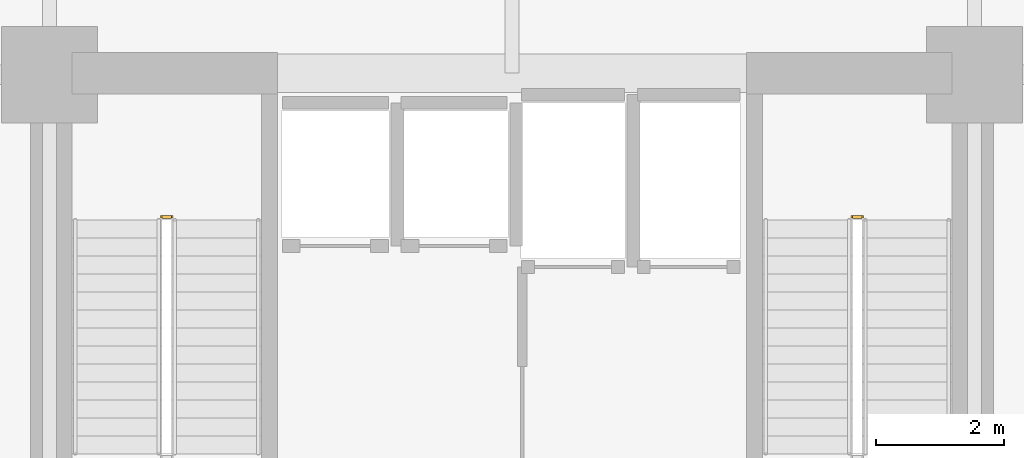
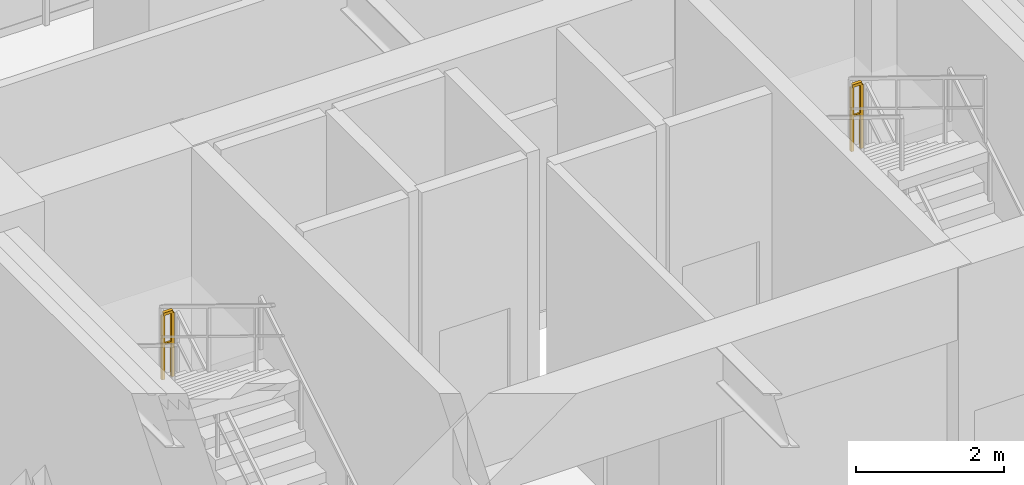
# One storey, part 22 of 22: 2 railings.
"""IFC4 building model written with IfcOpenShell, lengths in metres."""

import ifcopenshell
import ifcopenshell.guid

model = None  # the IFC model being written
_history = None  # IfcOwnerHistory: only IFC2X3 demands one
_inside = {}  # id of a spatial element -> (the spatial element, [elements in it])
_under = {}  # id of a project, library or spatial element -> (it, [spatial elements below it])
_declared = {}  # id of a project -> (the project, [libraries it declares])
_typed = {}  # id of a type object -> (the type object, [elements of that type])
_made_of = {}  # id of a material, layer set ... -> (it, [elements and type objects made of it])


def new_model(schema):
    """Start an empty IFC model of exactly this schema.

    Asked for "IFC4X3", IfcOpenShell would pick the latest addendum, in which some entities
    have other attributes; the version numbers below select the first issue.
    IFC2X3 requires an IfcOwnerHistory on every rooted entity: one is made here for all.
    """
    global model, _history
    if schema == "IFC4X3":
        model = ifcopenshell.file(schema_version=(4, 3, 0, 0))
    else:
        model = ifcopenshell.file(schema=schema)
    _inside.clear()
    _under.clear()
    _declared.clear()
    _typed.clear()
    _made_of.clear()
    _history = None
    if model.schema == "IFC2X3":
        org = make("IfcOrganization", Name="unknown")
        user = make(
            "IfcPersonAndOrganization",
            ThePerson=make("IfcPerson", FamilyName="unknown"),
            TheOrganization=org,
        )
        app = make(
            "IfcApplication",
            ApplicationDeveloper=org,
            Version="unknown",
            ApplicationFullName="unknown",
            ApplicationIdentifier="unknown",
        )
        _history = make(
            "IfcOwnerHistory",
            OwningUser=user,
            OwningApplication=app,
            ChangeAction="ADDED",
            CreationDate=0,
        )
    return model


def make(cls, **values):
    """One entity of the class cls with the attributes given. An attribute that is None is left unset."""
    return model.create_entity(
        cls, **{name: value for name, value in values.items() if value is not None}
    )


def rooted(cls, **values):
    """An entity with a GlobalId (a new one), such as an element, a storey or a relation."""
    return make(cls, GlobalId=ifcopenshell.guid.new(), OwnerHistory=_history, **values)


def si_unit(unit_type, name, prefix=None):
    """IfcSIUnit, for example si_unit("LENGTHUNIT", "METRE", prefix="MILLI")."""
    return make("IfcSIUnit", UnitType=unit_type, Prefix=prefix, Name=name)


def assignment(units):
    """IfcUnitAssignment: the units of a project."""
    return None if units is None else make("IfcUnitAssignment", Units=units)


def point(xyz):
    """IfcCartesianPoint."""
    return None if xyz is None else make("IfcCartesianPoint", Coordinates=xyz)


def direction(xyz):
    """IfcDirection."""
    return None if xyz is None else make("IfcDirection", DirectionRatios=xyz)


def frame(location, z_axis=None, x_axis=None):
    """IfcAxis2Placement3D, a coordinate frame: its origin and axes. An axis left out is left unset."""
    return make(
        "IfcAxis2Placement3D",
        Location=point(location),
        Axis=direction(z_axis),
        RefDirection=direction(x_axis),
    )


def frame_2d(location, x_axis=None):
    """IfcAxis2Placement2D, a coordinate frame in the plane: its origin and x axis."""
    return make(
        "IfcAxis2Placement2D", Location=point(location), RefDirection=direction(x_axis)
    )


def origin():
    """The frame at (0, 0, 0) with its axes left unset."""
    return frame((0.0, 0.0, 0.0))


def origin_2d():
    """The frame at (0, 0) in the plane with its x axis left unset."""
    return frame_2d((0.0, 0.0))


def place(relative_to, where):
    """IfcLocalPlacement: puts the frame where relative to a parent placement (None: the world)."""
    return make(
        "IfcLocalPlacement", PlacementRelTo=relative_to, RelativePlacement=where
    )


def context(
    kind, dimensions, precision=None, world=None, true_north=None, identifier=None
):
    """IfcGeometricRepresentationContext, for example the 3D "Model" context."""
    return make(
        "IfcGeometricRepresentationContext",
        ContextIdentifier=identifier,
        ContextType=kind,
        CoordinateSpaceDimension=dimensions,
        Precision=precision,
        WorldCoordinateSystem=world,
        TrueNorth=true_north,
    )


def subcontext(parent, identifier, kind, view, scale=None):
    """IfcGeometricRepresentationSubContext, for example "Body" below "Model"."""
    return make(
        "IfcGeometricRepresentationSubContext",
        ContextIdentifier=identifier,
        ContextType=kind,
        ParentContext=parent,
        TargetScale=scale,
        TargetView=view,
    )


def project(units=None, contexts=None):
    """IfcProject with its units and contexts."""
    return rooted(
        "IfcProject",
        Name="project",
        RepresentationContexts=contexts,
        UnitsInContext=assignment(units),
    )


def spatial(cls, under=None, at=None, **own):
    """A site, building, storey or space (cls), placed at a placement, below another one or the project."""
    s = rooted(cls, ObjectPlacement=at, **own)
    if under is not None:
        _under.setdefault(under.id(), (under, []))[1].append(s)
    return s


def profile(cls, at=None, kind="AREA", **sizes):
    """A parametric profile (cls). Its sizes go by their IFC names, for example OverallWidth=200.0."""
    return make(cls, ProfileType=kind, Position=at, **sizes)


def rectangle(**sizes):
    """IfcRectangleProfileDef."""
    return profile("IfcRectangleProfileDef", **sizes)


def extrude(swept, where, along, depth):
    """IfcExtrudedAreaSolid: the profile swept, set in the frame where, extruded along a direction by depth."""
    return make(
        "IfcExtrudedAreaSolid",
        SweptArea=swept,
        Position=where,
        ExtrudedDirection=direction(along),
        Depth=depth,
    )


def shape(context_of_items, identifier, shape_type, items):
    """IfcShapeRepresentation: the items that make up one representation, for example the "Body"."""
    return make(
        "IfcShapeRepresentation",
        ContextOfItems=context_of_items,
        RepresentationIdentifier=identifier,
        RepresentationType=shape_type,
        Items=items,
    )


def material(Name=None, Category=None):
    """IfcMaterial."""
    return make("IfcMaterial", Name=Name, Category=Category)


def made_of(thing, what):
    """Note that an element or type object is made of a material, layer set ...; save() writes the relation."""
    if what is not None:
        _made_of.setdefault(what.id(), (what, []))[1].append(thing)
    return thing


def type_object(cls, material=None, **own):
    """A type object (cls), such as IfcWallType, which elements share."""
    return made_of(rooted(cls, **own), material)


def element(
    cls,
    number,
    at=None,
    inside=None,
    cuts=None,
    type_object=None,
    material=None,
    context=None,
    identifier="Body",
    shape_type=None,
    held_by="IfcProductDefinitionShape",
    body=None,
    shapes=None,
    **own,
):
    """One element of the class cls, such as IfcWall. Its Tag is "e" and its number.

    at: its placement. inside: the storey or other place that contains it. cuts: it is an
    opening in that element (IfcRelVoidsElement). A single representation is given by context,
    identifier, shape_type and body (its items); several are given by shapes. held_by: the class
    of the entity that holds the representations. save() writes the other relations.
    """
    e = rooted(cls, Tag="e%d" % number, ObjectPlacement=at, **own)
    if body is not None:
        shapes = [shape(context, identifier, shape_type, body)]
    if shapes is not None:
        e.Representation = make(held_by, Representations=shapes)
    if inside is not None:
        _inside.setdefault(inside.id(), (inside, []))[1].append(e)
    if cuts is not None:
        rooted(
            "IfcRelVoidsElement", RelatingBuildingElement=cuts, RelatedOpeningElement=e
        )
    if type_object is not None:
        _typed.setdefault(type_object.id(), (type_object, []))[1].append(e)
    return made_of(e, material)


def aggregate(whole, parts):
    """IfcRelAggregates: a whole, such as a stair, and the parts it consists of."""
    return rooted("IfcRelAggregates", RelatingObject=whole, RelatedObjects=parts)


def save(model, path):
    """Write the relations noted so far, then the file.

    IfcRelAggregates (storeys below a building ...), IfcRelContainedInSpatialStructure (elements
    in a storey), IfcRelDefinesByType, IfcRelAssociatesMaterial and IfcRelDeclares: one each for
    every whole, place, type object, material and project.
    """
    for whole, parts in _under.values():
        aggregate(whole, parts)
    for where, things in _inside.values():
        rooted(
            "IfcRelContainedInSpatialStructure",
            RelatedElements=things,
            RelatingStructure=where,
        )
    for kind, things in _typed.values():
        rooted("IfcRelDefinesByType", RelatedObjects=things, RelatingType=kind)
    for what, things in _made_of.values():
        rooted("IfcRelAssociatesMaterial", RelatedObjects=things, RelatingMaterial=what)
    for by, libraries in _declared.values():
        rooted("IfcRelDeclares", RelatingContext=by, RelatedDefinitions=libraries)
    model.write(path)


model = new_model("IFC4")

# Units and contexts
model_context = context("Model", 3, precision=1e-05, world=origin(), true_north=direction((0.0, 1.0)))
body_context = subcontext(model_context, "Body", "Model", "MODEL_VIEW")
ifc_project = project(units=[si_unit("LENGTHUNIT", "METRE"), si_unit("AREAUNIT", "SQUARE_METRE"), si_unit("VOLUMEUNIT", "CUBIC_METRE"), si_unit("PLANEANGLEUNIT", "RADIAN"), si_unit("MASSUNIT", "GRAM", prefix="KILO")], contexts=[model_context])

# Site, building, storey
site_placement = place(None, origin())
site = spatial("IfcSite", under=ifc_project, at=site_placement, CompositionType="ELEMENT")
building_placement = place(site_placement, origin())
building = spatial("IfcBuilding", under=site, at=building_placement, Name="Kaliganga Portal Commons", CompositionType="ELEMENT")
storey_placement = place(building_placement, frame((0.0, 0.0, 10.199951171875)))
storey = spatial("IfcBuildingStorey", under=building, at=storey_placement, Name="L02", CompositionType="ELEMENT", Elevation=10.199951171875)

# Railings
ifc_material = material(Name="Galvanized Painted Steel Balustrade", Category="steel")
railing_type = type_object("IfcRailingType", Name="RLG-STAIR-GRD", PredefinedType="GUARDRAIL", material=ifc_material)
for number, where, name in (
    (1, (16.300048828125, 33.93994140625, 2.400146484375), "L02 ST-A1 stair guard 2"),
    (2, (27.050048828125, 33.93994140625, 2.400146484375), "L02 ST-A2 stair guard 2"),
):
    element("IfcRailing", number, at=place(storey_placement, frame(where)), inside=storey, type_object=railing_type, Name=name, PredefinedType="GUARDRAIL", context=body_context, shape_type="SweptSolid", body=[
        extrude(rectangle(XDim=0.048095703125, YDim=0.048095703125, at=origin_2d()), frame((0.0, 0.0, 1.076171875), z_axis=(-1.0, 0.0, 0.0), x_axis=(0.0, -1.0, 0.0)), (0.0, 0.0, 1.0), 0.150146484375),
        extrude(rectangle(XDim=0.028076171875, YDim=0.028076171875, at=origin_2d()), frame((0.0, 0.0, 0.572021484375), z_axis=(-1.0, 0.0, 0.0), x_axis=(0.0, -1.0, 0.0)), (0.0, 0.0, 1.0), 0.150146484375),
        extrude(rectangle(XDim=0.0419921875, YDim=0.0419921875, at=origin_2d()), origin(), (0.0, 0.0, 1.0), 1.052001953125),
        extrude(rectangle(XDim=0.0419921875, YDim=0.0419921875, at=origin_2d()), frame((-0.150146484375, 0.0, 0.0)), (0.0, 0.0, 1.0), 1.052001953125),
    ])

save(model, "model.ifc")
